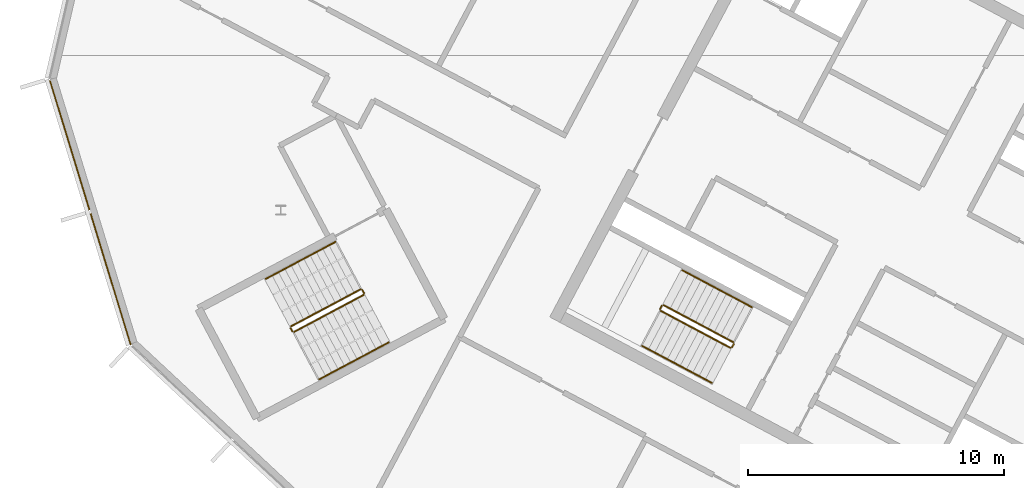
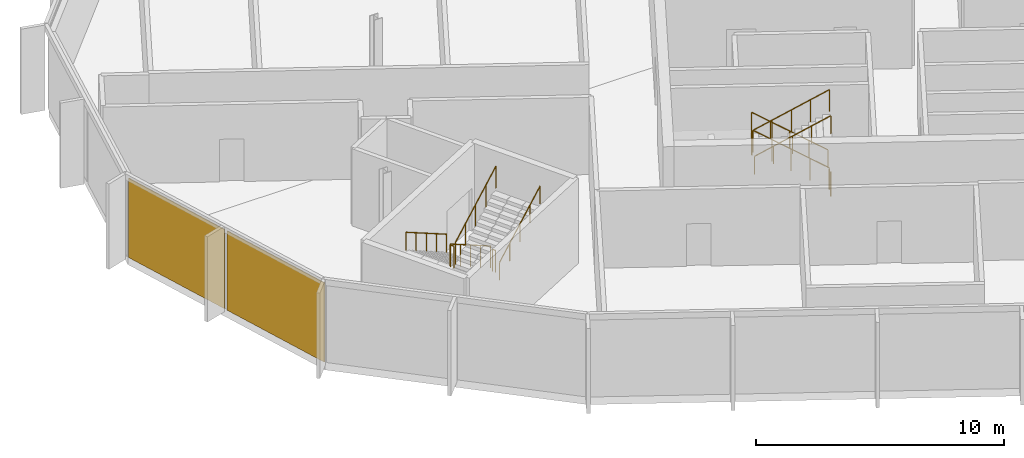
# One storey, part 10 of 12: 12 railings, 2 coverings, 1 element without a shape of its own.
"""IFC4 building model written with IfcOpenShell, lengths in metres."""

from ifc_helpers import new_model, si_unit, direction, frame, origin, origin_2d, place, context, subcontext, project, spatial, polyline, rectangle, outline, extrude, material, layer, layer_set, type_object, element, aggregate, save


model = new_model("IFC4")

# Units and contexts
model_context = context("Model", 3, precision=1e-05, world=origin(), true_north=direction((0.0, 1.0)))
body_context = subcontext(model_context, "Body", "Model", "MODEL_VIEW")
ifc_project = project(units=[si_unit("LENGTHUNIT", "METRE"), si_unit("AREAUNIT", "SQUARE_METRE"), si_unit("VOLUMEUNIT", "CUBIC_METRE"), si_unit("PLANEANGLEUNIT", "RADIAN"), si_unit("MASSUNIT", "GRAM", prefix="KILO")], contexts=[model_context])

# Site, building, storey
site_placement = place(None, origin())
site = spatial("IfcSite", under=ifc_project, at=site_placement, CompositionType="ELEMENT")
building_placement = place(site_placement, origin())
building = spatial("IfcBuilding", under=site, at=building_placement, Name="Cormorant Relay Tower", CompositionType="ELEMENT")
storey_placement = place(building_placement, frame((0.0, 0.0, 349.199951171875)))
storey = spatial("IfcBuildingStorey", under=building, at=storey_placement, Name="C6", CompositionType="ELEMENT", Elevation=349.199951171875)

# Curtain wall, coverings
ifc_material_1 = material(Name="Aluminium 6063-T6 anodised bronze", Category="aluminium")
ifc_layer_1 = layer(ifc_material_1, 0.199951171875)
ifc_layer_set_1 = layer_set([ifc_layer_1], Name="CW3 crown screen wall")
curtain_wall_type = type_object("IfcCurtainWallType", Name="CW3 crown screen wall", PredefinedType="NOTDEFINED", material=ifc_layer_set_1)
curtain_wall_placement = place(storey_placement, origin())
curtain_wall = element("IfcCurtainWall", 1, at=curtain_wall_placement, inside=storey, type_object=curtain_wall_type, Name="CW3 curtain wall 21", PredefinedType="NOTDEFINED")
ifc_material_2 = material(Name="Perforated bronze anodised aluminium screen", Category="aluminium")
ifc_layer_2 = layer(ifc_material_2, 0.0400390625)
ifc_layer_set_2 = layer_set([ifc_layer_2], Name="CW3 perforated bronze screen panel 40")
covering_type = type_object("IfcCoveringType", Name="CW3 perforated bronze screen panel 40", PredefinedType="CLADDING", material=ifc_layer_set_2)
covering_1_placement = place(storey_placement, frame((-59.9443359375, 17.78857421875, 0.0), z_axis=(0.0, 0.0, 1.0), x_axis=(0.292371704723, -0.956304755963, 0.0)))
covering_1 = element("IfcCovering", 2, at=covering_1_placement, type_object=covering_type, Name="CW3 panel X00", PredefinedType="CLADDING", context=body_context, shape_type="SweptSolid", body=[
    extrude(rectangle(XDim=5.28515625, YDim=0.0400390625, at=origin_2d()), origin(), (0.0, 0.0, 1.0), 3.89990234375),
])
covering_2_placement = place(storey_placement, frame((-58.344482421875, 12.55517578125, 0.0), z_axis=(0.0, 0.0, 1.0), x_axis=(0.292371704723, -0.956304755963, 0.0)))
covering_2 = element("IfcCovering", 3, at=covering_2_placement, type_object=covering_type, Name="CW3 panel X01", PredefinedType="CLADDING", context=body_context, shape_type="SweptSolid", body=[
    extrude(rectangle(XDim=5.360107421875, YDim=0.0400390625, at=origin_2d()), origin(), (0.0, 0.0, 1.0), 3.89990234375),
])
aggregate(curtain_wall, [covering_1, covering_2])

# Railings
ifc_material_3 = material(Name="Steel ASTM A572 Grade 50 (Fy 345 MPa)", Category="steel")
railing_type_1 = type_object("IfcRailingType", Name="Stair guard 1100", PredefinedType="GUARDRAIL", material=ifc_material_3)
railing_1_placement = place(storey_placement, frame((-33.9921875, 10.08935546875, 0.175048828125)))
element("IfcRailing", 4, at=railing_1_placement, inside=storey, type_object=railing_type_1, Name="C6 A2 stair guard 1", PredefinedType="GUARDRAIL", context=body_context, shape_type="SweptSolid", body=[
    extrude(outline(polyline([(0.022216796875, 0.00927734375), (0.00927734375, 0.022216796875), (-0.00927734375, 0.022216796875), (-0.022216796875, 0.00927734375), (-0.022216796875, -0.00927734375), (-0.00927734375, -0.022216796875), (0.00927734375, -0.022216796875), (0.022216796875, -0.00927734375), (0.022216796875, 0.00927734375)])), frame((0.0, 0.0, 1.076171875), z_axis=(-0.748727239859, 0.398124736663, 0.530003975787), x_axis=(-0.469489399267, -0.882938108802, 0.0)), (0.0, 0.0, 1.0), 3.632080078125),
    extrude(outline(polyline([(0.019287109375, 0.008056640625), (0.008056640625, 0.019287109375), (-0.008056640625, 0.019287109375), (-0.019287109375, 0.008056640625), (-0.019287109375, -0.008056640625), (-0.008056640625, -0.019287109375), (0.008056640625, -0.019287109375), (0.019287109375, -0.008056640625), (0.019287109375, 0.008056640625)])), origin(), (0.0, 0.0, 1.0), 1.052001953125),
    extrude(outline(polyline([(0.019287109375, 0.008056640625), (0.008056640625, 0.019287109375), (-0.008056640625, 0.019287109375), (-0.019287109375, 0.008056640625), (-0.019287109375, -0.008056640625), (-0.008056640625, -0.019287109375), (0.008056640625, -0.019287109375), (0.019287109375, -0.008056640625), (0.019287109375, 0.008056640625)])), frame((-0.679931640625, 0.361572265625, 0.481201171875)), (0.0, 0.0, 1.0), 1.052001953125),
    extrude(outline(polyline([(0.019287109375, 0.008056640625), (0.008056640625, 0.019287109375), (-0.008056640625, 0.019287109375), (-0.019287109375, 0.008056640625), (-0.019287109375, -0.008056640625), (-0.008056640625, -0.019287109375), (0.008056640625, -0.019287109375), (0.019287109375, -0.008056640625), (0.019287109375, 0.008056640625)])), frame((-1.35986328125, 0.72314453125, 0.96240234375)), (0.0, 0.0, 1.0), 1.052001953125),
    extrude(outline(polyline([(0.019287109375, 0.008056640625), (0.008056640625, 0.019287109375), (-0.008056640625, 0.019287109375), (-0.019287109375, 0.008056640625), (-0.019287109375, -0.008056640625), (-0.008056640625, -0.019287109375), (0.008056640625, -0.019287109375), (0.019287109375, -0.008056640625), (0.019287109375, 0.008056640625)])), frame((-2.03955078125, 1.08447265625, 1.44384765625)), (0.0, 0.0, 1.0), 1.052001953125),
    extrude(outline(polyline([(0.019287109375, 0.008056640625), (0.008056640625, 0.019287109375), (-0.008056640625, 0.019287109375), (-0.019287109375, 0.008056640625), (-0.019287109375, -0.008056640625), (-0.008056640625, -0.019287109375), (0.008056640625, -0.019287109375), (0.019287109375, -0.008056640625), (0.019287109375, 0.008056640625)])), frame((-2.719482421875, 1.446044921875, 1.925048828125)), (0.0, 0.0, 1.0), 1.052001953125),
])
railing_2_placement = place(storey_placement, frame((-36.779296875, 11.5146484375, 2.10009765625)))
element("IfcRailing", 5, at=railing_2_placement, inside=storey, type_object=railing_type_1, Name="C6 A2 stair guard 2", PredefinedType="GUARDRAIL", context=body_context, shape_type="SweptSolid", body=[
    extrude(outline(polyline([(0.022216796875, 0.00927734375), (0.00927734375, 0.022216796875), (-0.00927734375, 0.022216796875), (-0.022216796875, 0.00927734375), (-0.022216796875, -0.00927734375), (-0.00927734375, -0.022216796875), (0.00927734375, -0.022216796875), (0.022216796875, -0.00927734375), (0.022216796875, 0.00927734375)])), frame((0.0, 0.0, 1.076171875), z_axis=(-0.469234640946, -0.883073525669, 0.0), x_axis=(0.883073525669, -0.469234640946, 0.0)), (0.0, 0.0, 1.0), 0.14990234375),
    extrude(outline(polyline([(0.019287109375, 0.008056640625), (0.008056640625, 0.019287109375), (-0.008056640625, 0.019287109375), (-0.019287109375, 0.008056640625), (-0.019287109375, -0.008056640625), (-0.008056640625, -0.019287109375), (0.008056640625, -0.019287109375), (0.019287109375, -0.008056640625), (0.019287109375, 0.008056640625)])), origin(), (0.0, 0.0, 1.0), 1.052001953125),
    extrude(outline(polyline([(0.019287109375, 0.008056640625), (0.008056640625, 0.019287109375), (-0.008056640625, 0.019287109375), (-0.019287109375, 0.008056640625), (-0.019287109375, -0.008056640625), (-0.008056640625, -0.019287109375), (0.008056640625, -0.019287109375), (0.019287109375, -0.008056640625), (0.019287109375, 0.008056640625)])), frame((-0.0703125, -0.13232421875, 0.0)), (0.0, 0.0, 1.0), 1.052001953125),
])
railing_3_placement = place(storey_placement, frame((-36.8291015625, 11.314697265625, 2.275146484375)))
element("IfcRailing", 6, at=railing_3_placement, inside=storey, type_object=railing_type_1, Name="C6 A2 stair guard 3", PredefinedType="GUARDRAIL", context=body_context, shape_type="SweptSolid", body=[
    extrude(outline(polyline([(0.022216796875, 0.00927734375), (0.00927734375, 0.022216796875), (-0.00927734375, 0.022216796875), (-0.022216796875, 0.00927734375), (-0.022216796875, -0.00927734375), (-0.00927734375, -0.022216796875), (0.00927734375, -0.022216796875), (0.022216796875, -0.00927734375), (0.022216796875, 0.00927734375)])), frame((0.0, 0.0, 1.076171875), z_axis=(0.748753913104, -0.39813891977, 0.529955637931), x_axis=(0.469489399267, 0.882938108802, 0.0)), (0.0, 0.0, 1.0), 3.632080078125),
    extrude(outline(polyline([(0.019287109375, 0.008056640625), (0.008056640625, 0.019287109375), (-0.008056640625, 0.019287109375), (-0.019287109375, 0.008056640625), (-0.019287109375, -0.008056640625), (-0.008056640625, -0.019287109375), (0.008056640625, -0.019287109375), (0.019287109375, -0.008056640625), (0.019287109375, 0.008056640625)])), origin(), (0.0, 0.0, 1.0), 1.052001953125),
    extrude(outline(polyline([(0.019287109375, 0.008056640625), (0.008056640625, 0.019287109375), (-0.008056640625, 0.019287109375), (-0.019287109375, 0.008056640625), (-0.019287109375, -0.008056640625), (-0.008056640625, -0.019287109375), (0.008056640625, -0.019287109375), (0.019287109375, -0.008056640625), (0.019287109375, 0.008056640625)])), frame((0.679931640625, -0.361572265625, 0.481201171875)), (0.0, 0.0, 1.0), 1.052001953125),
    extrude(outline(polyline([(0.019287109375, 0.008056640625), (0.008056640625, 0.019287109375), (-0.008056640625, 0.019287109375), (-0.019287109375, 0.008056640625), (-0.019287109375, -0.008056640625), (-0.008056640625, -0.019287109375), (0.008056640625, -0.019287109375), (0.019287109375, -0.008056640625), (0.019287109375, 0.008056640625)])), frame((1.35986328125, -0.72314453125, 0.96240234375)), (0.0, 0.0, 1.0), 1.052001953125),
    extrude(outline(polyline([(0.019287109375, 0.008056640625), (0.008056640625, 0.019287109375), (-0.008056640625, 0.019287109375), (-0.019287109375, 0.008056640625), (-0.019287109375, -0.008056640625), (-0.008056640625, -0.019287109375), (0.008056640625, -0.019287109375), (0.019287109375, -0.008056640625), (0.019287109375, 0.008056640625)])), frame((2.03955078125, -1.08447265625, 1.443603515625)), (0.0, 0.0, 1.0), 1.052001953125),
    extrude(outline(polyline([(0.019287109375, 0.008056640625), (0.008056640625, 0.019287109375), (-0.008056640625, 0.019287109375), (-0.019287109375, 0.008056640625), (-0.019287109375, -0.008056640625), (-0.008056640625, -0.019287109375), (0.008056640625, -0.019287109375), (0.019287109375, -0.008056640625), (0.019287109375, 0.008056640625)])), frame((2.719482421875, -1.446044921875, 1.9248046875)), (0.0, 0.0, 1.0), 1.052001953125),
])
railing_4_placement = place(storey_placement, frame((-33.971435546875, 10.021728515625, 0.0)))
element("IfcRailing", 7, at=railing_4_placement, inside=storey, type_object=railing_type_1, Name="C6 A2 stair guard 4", PredefinedType="GUARDRAIL", context=body_context, shape_type="SweptSolid", body=[
    extrude(outline(polyline([(0.022216796875, 0.00927734375), (0.00927734375, 0.022216796875), (-0.00927734375, 0.022216796875), (-0.022216796875, 0.00927734375), (-0.022216796875, -0.00927734375), (-0.00927734375, -0.022216796875), (0.00927734375, -0.022216796875), (0.022216796875, -0.00927734375), (0.022216796875, 0.00927734375)])), frame((0.0, 0.0, 1.076171875), z_axis=(-0.470503732759, -0.882398003998, 0.0), x_axis=(0.882398003998, -0.470503732759, 0.0)), (0.0, 0.0, 1.0), 0.14990234375),
    extrude(outline(polyline([(0.019287109375, 0.008056640625), (0.008056640625, 0.019287109375), (-0.008056640625, 0.019287109375), (-0.019287109375, 0.008056640625), (-0.019287109375, -0.008056640625), (-0.008056640625, -0.019287109375), (0.008056640625, -0.019287109375), (0.019287109375, -0.008056640625), (0.019287109375, 0.008056640625)])), origin(), (0.0, 0.0, 1.0), 1.052001953125),
    extrude(outline(polyline([(0.019287109375, 0.008056640625), (0.008056640625, 0.019287109375), (-0.008056640625, 0.019287109375), (-0.019287109375, 0.008056640625), (-0.019287109375, -0.008056640625), (-0.008056640625, -0.019287109375), (0.008056640625, -0.019287109375), (0.019287109375, -0.008056640625), (0.019287109375, 0.008056640625)])), frame((-0.070556640625, -0.13232421875, 0.0)), (0.0, 0.0, 1.0), 1.052001953125),
])
railing_5_placement = place(storey_placement, frame((-48.5693359375, 12.155517578125, 0.175048828125)))
element("IfcRailing", 8, at=railing_5_placement, inside=storey, type_object=railing_type_1, Name="C6 RP1 stair guard 1", PredefinedType="GUARDRAIL", context=body_context, shape_type="SweptSolid", body=[
    extrude(outline(polyline([(0.022216796875, 0.00927734375), (0.00927734375, 0.022216796875), (-0.00927734375, 0.022216796875), (-0.022216796875, 0.00927734375), (-0.022216796875, -0.00927734375), (-0.00927734375, -0.022216796875), (0.00927734375, -0.022216796875), (0.022216796875, -0.00927734375), (0.022216796875, 0.00927734375)])), frame((0.0, 0.0, 1.076171875), z_axis=(-0.748727239859, -0.398124736663, 0.530003975787), x_axis=(0.469489399267, -0.882938108802, 0.0)), (0.0, 0.0, 1.0), 3.632080078125),
    extrude(outline(polyline([(0.019287109375, 0.008056640625), (0.008056640625, 0.019287109375), (-0.008056640625, 0.019287109375), (-0.019287109375, 0.008056640625), (-0.019287109375, -0.008056640625), (-0.008056640625, -0.019287109375), (0.008056640625, -0.019287109375), (0.019287109375, -0.008056640625), (0.019287109375, 0.008056640625)])), origin(), (0.0, 0.0, 1.0), 1.052001953125),
    extrude(outline(polyline([(0.019287109375, 0.008056640625), (0.008056640625, 0.019287109375), (-0.008056640625, 0.019287109375), (-0.019287109375, 0.008056640625), (-0.019287109375, -0.008056640625), (-0.008056640625, -0.019287109375), (0.008056640625, -0.019287109375), (0.019287109375, -0.008056640625), (0.019287109375, 0.008056640625)])), frame((-0.679931640625, -0.361572265625, 0.481201171875)), (0.0, 0.0, 1.0), 1.052001953125),
    extrude(outline(polyline([(0.019287109375, 0.008056640625), (0.008056640625, 0.019287109375), (-0.008056640625, 0.019287109375), (-0.019287109375, 0.008056640625), (-0.019287109375, -0.008056640625), (-0.008056640625, -0.019287109375), (0.008056640625, -0.019287109375), (0.019287109375, -0.008056640625), (0.019287109375, 0.008056640625)])), frame((-1.35986328125, -0.72314453125, 0.96240234375)), (0.0, 0.0, 1.0), 1.052001953125),
    extrude(outline(polyline([(0.019287109375, 0.008056640625), (0.008056640625, 0.019287109375), (-0.008056640625, 0.019287109375), (-0.019287109375, 0.008056640625), (-0.019287109375, -0.008056640625), (-0.008056640625, -0.019287109375), (0.008056640625, -0.019287109375), (0.019287109375, -0.008056640625), (0.019287109375, 0.008056640625)])), frame((-2.03955078125, -1.08447265625, 1.44384765625)), (0.0, 0.0, 1.0), 1.052001953125),
    extrude(outline(polyline([(0.019287109375, 0.008056640625), (0.008056640625, 0.019287109375), (-0.008056640625, 0.019287109375), (-0.019287109375, 0.008056640625), (-0.019287109375, -0.008056640625), (-0.008056640625, -0.019287109375), (0.008056640625, -0.019287109375), (0.019287109375, -0.008056640625), (0.019287109375, 0.008056640625)])), frame((-2.719482421875, -1.446044921875, 1.925048828125)), (0.0, 0.0, 1.0), 1.052001953125),
])
railing_6_placement = place(storey_placement, frame((-51.3095703125, 10.641845703125, 2.10009765625)))
element("IfcRailing", 9, at=railing_6_placement, inside=storey, type_object=railing_type_1, Name="C6 RP1 stair guard 2", PredefinedType="GUARDRAIL", context=body_context, shape_type="SweptSolid", body=[
    extrude(outline(polyline([(0.022216796875, 0.00927734375), (0.00927734375, 0.022216796875), (-0.00927734375, 0.022216796875), (-0.022216796875, 0.00927734375), (-0.022216796875, -0.00927734375), (-0.00927734375, -0.022216796875), (0.00927734375, -0.022216796875), (0.022216796875, -0.00927734375), (0.022216796875, 0.00927734375)])), frame((0.0, 0.0, 1.076171875), z_axis=(0.469828648786, -0.882757634224, 0.0), x_axis=(0.882757634224, 0.469828648786, 0.0)), (0.0, 0.0, 1.0), 0.150146484375),
    extrude(outline(polyline([(0.019287109375, 0.008056640625), (0.008056640625, 0.019287109375), (-0.008056640625, 0.019287109375), (-0.019287109375, 0.008056640625), (-0.019287109375, -0.008056640625), (-0.008056640625, -0.019287109375), (0.008056640625, -0.019287109375), (0.019287109375, -0.008056640625), (0.019287109375, 0.008056640625)])), origin(), (0.0, 0.0, 1.0), 1.052001953125),
    extrude(outline(polyline([(0.019287109375, 0.008056640625), (0.008056640625, 0.019287109375), (-0.008056640625, 0.019287109375), (-0.019287109375, 0.008056640625), (-0.019287109375, -0.008056640625), (-0.008056640625, -0.019287109375), (0.008056640625, -0.019287109375), (0.019287109375, -0.008056640625), (0.019287109375, 0.008056640625)])), frame((0.070556640625, -0.132568359375, 0.0)), (0.0, 0.0, 1.0), 1.052001953125),
])
railing_7_placement = place(storey_placement, frame((-51.17138671875, 10.48876953125, 2.275146484375)))
element("IfcRailing", 10, at=railing_7_placement, inside=storey, type_object=railing_type_1, Name="C6 RP1 stair guard 3", PredefinedType="GUARDRAIL", context=body_context, shape_type="SweptSolid", body=[
    extrude(outline(polyline([(0.022216796875, 0.00927734375), (0.00927734375, 0.022216796875), (-0.00927734375, 0.022216796875), (-0.022216796875, 0.00927734375), (-0.022216796875, -0.00927734375), (-0.00927734375, -0.022216796875), (0.00927734375, -0.022216796875), (0.022216796875, -0.00927734375), (0.022216796875, 0.00927734375)])), frame((0.0, 0.0, 1.076171875), z_axis=(0.748773950783, 0.398082353581, 0.529969820269), x_axis=(-0.469427602063, 0.882970965786, 0.0)), (0.0, 0.0, 1.0), 3.6318359375),
    extrude(outline(polyline([(0.019287109375, 0.008056640625), (0.008056640625, 0.019287109375), (-0.008056640625, 0.019287109375), (-0.019287109375, 0.008056640625), (-0.019287109375, -0.008056640625), (-0.008056640625, -0.019287109375), (0.008056640625, -0.019287109375), (0.019287109375, -0.008056640625), (0.019287109375, 0.008056640625)])), origin(), (0.0, 0.0, 1.0), 1.052001953125),
    extrude(outline(polyline([(0.019287109375, 0.008056640625), (0.008056640625, 0.019287109375), (-0.008056640625, 0.019287109375), (-0.019287109375, 0.008056640625), (-0.019287109375, -0.008056640625), (-0.008056640625, -0.019287109375), (0.008056640625, -0.019287109375), (0.019287109375, -0.008056640625), (0.019287109375, 0.008056640625)])), frame((0.679931640625, 0.361328125, 0.481201171875)), (0.0, 0.0, 1.0), 1.052001953125),
    extrude(outline(polyline([(0.019287109375, 0.008056640625), (0.008056640625, 0.019287109375), (-0.008056640625, 0.019287109375), (-0.019287109375, 0.008056640625), (-0.019287109375, -0.008056640625), (-0.008056640625, -0.019287109375), (0.008056640625, -0.019287109375), (0.019287109375, -0.008056640625), (0.019287109375, 0.008056640625)])), frame((1.35986328125, 0.722900390625, 0.96240234375)), (0.0, 0.0, 1.0), 1.052001953125),
    extrude(outline(polyline([(0.019287109375, 0.008056640625), (0.008056640625, 0.019287109375), (-0.008056640625, 0.019287109375), (-0.019287109375, 0.008056640625), (-0.019287109375, -0.008056640625), (-0.008056640625, -0.019287109375), (0.008056640625, -0.019287109375), (0.019287109375, -0.008056640625), (0.019287109375, 0.008056640625)])), frame((2.03955078125, 1.08447265625, 1.443603515625)), (0.0, 0.0, 1.0), 1.052001953125),
    extrude(outline(polyline([(0.019287109375, 0.008056640625), (0.008056640625, 0.019287109375), (-0.008056640625, 0.019287109375), (-0.019287109375, 0.008056640625), (-0.019287109375, -0.008056640625), (-0.008056640625, -0.019287109375), (0.008056640625, -0.019287109375), (0.019287109375, -0.008056640625), (0.019287109375, 0.008056640625)])), frame((2.719482421875, 1.44580078125, 1.9248046875)), (0.0, 0.0, 1.0), 1.052001953125),
])
railing_8_placement = place(storey_placement, frame((-48.501708984375, 12.134765625, 0.0)))
element("IfcRailing", 11, at=railing_8_placement, inside=storey, type_object=railing_type_1, Name="C6 RP1 stair guard 4", PredefinedType="GUARDRAIL", context=body_context, shape_type="SweptSolid", body=[
    extrude(outline(polyline([(0.022216796875, 0.00927734375), (0.00927734375, 0.022216796875), (-0.00927734375, 0.022216796875), (-0.022216796875, 0.00927734375), (-0.022216796875, -0.00927734375), (-0.00927734375, -0.022216796875), (0.00927734375, -0.022216796875), (0.022216796875, -0.00927734375), (0.022216796875, 0.00927734375)])), frame((0.0, 0.0, 1.076171875), z_axis=(0.46856034887, -0.8834314911, 0.0), x_axis=(0.8834314911, 0.46856034887, 0.0)), (0.0, 0.0, 1.0), 0.150146484375),
    extrude(outline(polyline([(0.019287109375, 0.008056640625), (0.008056640625, 0.019287109375), (-0.008056640625, 0.019287109375), (-0.019287109375, 0.008056640625), (-0.019287109375, -0.008056640625), (-0.008056640625, -0.019287109375), (0.008056640625, -0.019287109375), (0.019287109375, -0.008056640625), (0.019287109375, 0.008056640625)])), origin(), (0.0, 0.0, 1.0), 1.052001953125),
    extrude(outline(polyline([(0.019287109375, 0.008056640625), (0.008056640625, 0.019287109375), (-0.008056640625, 0.019287109375), (-0.019287109375, 0.008056640625), (-0.019287109375, -0.008056640625), (-0.008056640625, -0.019287109375), (0.008056640625, -0.019287109375), (0.019287109375, -0.008056640625), (0.019287109375, 0.008056640625)])), frame((0.0703125, -0.132568359375, 0.0)), (0.0, 0.0, 1.0), 1.052001953125),
])
ifc_material_4 = material(Name="Steel ASTM A572 Grade 50 (Fy 345 MPa)", Category="steel")
railing_type_2 = type_object("IfcRailingType", Name="Stair handrail 900", PredefinedType="HANDRAIL", material=ifc_material_4)
railing_9_placement = place(storey_placement, frame((-33.264404296875, 11.4580078125, 0.175048828125)))
element("IfcRailing", 12, at=railing_9_placement, inside=storey, type_object=railing_type_2, Name="C6 A2 stair handrail 1", PredefinedType="HANDRAIL", context=body_context, shape_type="SweptSolid", body=[
    extrude(outline(polyline([(0.022216796875, 0.00927734375), (0.00927734375, 0.022216796875), (-0.00927734375, 0.022216796875), (-0.022216796875, 0.00927734375), (-0.022216796875, -0.00927734375), (-0.00927734375, -0.022216796875), (0.00927734375, -0.022216796875), (0.022216796875, -0.00927734375), (0.022216796875, 0.00927734375)])), frame((0.0, 0.0, 0.8759765625), z_axis=(-0.748747275397, 0.39806817173, 0.530018158408), x_axis=(-0.469427602063, -0.882970965786, 0.0)), (0.0, 0.0, 1.0), 3.632080078125),
    extrude(outline(polyline([(0.019287109375, 0.008056640625), (0.008056640625, 0.019287109375), (-0.008056640625, 0.019287109375), (-0.019287109375, 0.008056640625), (-0.019287109375, -0.008056640625), (-0.008056640625, -0.019287109375), (0.008056640625, -0.019287109375), (0.019287109375, -0.008056640625), (0.019287109375, 0.008056640625)])), origin(), (0.0, 0.0, 1.0), 0.851806640625),
    extrude(outline(polyline([(0.019287109375, 0.008056640625), (0.008056640625, 0.019287109375), (-0.008056640625, 0.019287109375), (-0.019287109375, 0.008056640625), (-0.019287109375, -0.008056640625), (-0.008056640625, -0.019287109375), (0.008056640625, -0.019287109375), (0.019287109375, -0.008056640625), (0.019287109375, 0.008056640625)])), frame((-0.679931640625, 0.361328125, 0.481201171875)), (0.0, 0.0, 1.0), 0.851806640625),
    extrude(outline(polyline([(0.019287109375, 0.008056640625), (0.008056640625, 0.019287109375), (-0.008056640625, 0.019287109375), (-0.019287109375, 0.008056640625), (-0.019287109375, -0.008056640625), (-0.008056640625, -0.019287109375), (0.008056640625, -0.019287109375), (0.019287109375, -0.008056640625), (0.019287109375, 0.008056640625)])), frame((-1.35986328125, 0.722900390625, 0.96240234375)), (0.0, 0.0, 1.0), 0.851806640625),
    extrude(outline(polyline([(0.019287109375, 0.008056640625), (0.008056640625, 0.019287109375), (-0.008056640625, 0.019287109375), (-0.019287109375, 0.008056640625), (-0.019287109375, -0.008056640625), (-0.008056640625, -0.019287109375), (0.008056640625, -0.019287109375), (0.019287109375, -0.008056640625), (0.019287109375, 0.008056640625)])), frame((-2.03955078125, 1.08447265625, 1.44384765625)), (0.0, 0.0, 1.0), 0.851806640625),
    extrude(outline(polyline([(0.019287109375, 0.008056640625), (0.008056640625, 0.019287109375), (-0.008056640625, 0.019287109375), (-0.019287109375, 0.008056640625), (-0.019287109375, -0.008056640625), (-0.008056640625, -0.019287109375), (0.008056640625, -0.019287109375), (0.019287109375, -0.008056640625), (0.019287109375, 0.008056640625)])), frame((-2.719482421875, 1.44580078125, 1.925048828125)), (0.0, 0.0, 1.0), 0.851806640625),
])
railing_10_placement = place(storey_placement, frame((-37.556640625, 9.946044921875, 2.275146484375)))
element("IfcRailing", 13, at=railing_10_placement, inside=storey, type_object=railing_type_2, Name="C6 A2 stair handrail 2", PredefinedType="HANDRAIL", context=body_context, shape_type="SweptSolid", body=[
    extrude(outline(polyline([(0.022216796875, 0.00927734375), (0.00927734375, 0.022216796875), (-0.00927734375, 0.022216796875), (-0.022216796875, 0.00927734375), (-0.022216796875, -0.00927734375), (-0.00927734375, -0.022216796875), (0.00927734375, -0.022216796875), (0.022216796875, -0.00927734375), (0.022216796875, 0.00927734375)])), frame((0.0, 0.0, 0.8759765625), z_axis=(0.748753913104, -0.39813891977, 0.529955637931), x_axis=(0.469489399267, 0.882938108802, 0.0)), (0.0, 0.0, 1.0), 3.632080078125),
    extrude(outline(polyline([(0.019287109375, 0.008056640625), (0.008056640625, 0.019287109375), (-0.008056640625, 0.019287109375), (-0.019287109375, 0.008056640625), (-0.019287109375, -0.008056640625), (-0.008056640625, -0.019287109375), (0.008056640625, -0.019287109375), (0.019287109375, -0.008056640625), (0.019287109375, 0.008056640625)])), origin(), (0.0, 0.0, 1.0), 0.851806640625),
    extrude(outline(polyline([(0.019287109375, 0.008056640625), (0.008056640625, 0.019287109375), (-0.008056640625, 0.019287109375), (-0.019287109375, 0.008056640625), (-0.019287109375, -0.008056640625), (-0.008056640625, -0.019287109375), (0.008056640625, -0.019287109375), (0.019287109375, -0.008056640625), (0.019287109375, 0.008056640625)])), frame((0.679931640625, -0.361572265625, 0.481201171875)), (0.0, 0.0, 1.0), 0.851806640625),
    extrude(outline(polyline([(0.019287109375, 0.008056640625), (0.008056640625, 0.019287109375), (-0.008056640625, 0.019287109375), (-0.019287109375, 0.008056640625), (-0.019287109375, -0.008056640625), (-0.008056640625, -0.019287109375), (0.008056640625, -0.019287109375), (0.019287109375, -0.008056640625), (0.019287109375, 0.008056640625)])), frame((1.35986328125, -0.72314453125, 0.96240234375)), (0.0, 0.0, 1.0), 0.851806640625),
    extrude(outline(polyline([(0.019287109375, 0.008056640625), (0.008056640625, 0.019287109375), (-0.008056640625, 0.019287109375), (-0.019287109375, 0.008056640625), (-0.019287109375, -0.008056640625), (-0.008056640625, -0.019287109375), (0.008056640625, -0.019287109375), (0.019287109375, -0.008056640625), (0.019287109375, 0.008056640625)])), frame((2.03955078125, -1.08447265625, 1.443603515625)), (0.0, 0.0, 1.0), 0.851806640625),
    extrude(outline(polyline([(0.019287109375, 0.008056640625), (0.008056640625, 0.019287109375), (-0.008056640625, 0.019287109375), (-0.019287109375, 0.008056640625), (-0.019287109375, -0.008056640625), (-0.008056640625, -0.019287109375), (0.008056640625, -0.019287109375), (0.019287109375, -0.008056640625), (0.019287109375, 0.008056640625)])), frame((2.719482421875, -1.446044921875, 1.9248046875)), (0.0, 0.0, 1.0), 0.851806640625),
])
railing_11_placement = place(storey_placement, frame((-49.55517578125, 14.009521484375, 0.175048828125)))
element("IfcRailing", 14, at=railing_11_placement, inside=storey, type_object=railing_type_2, Name="C6 RP1 stair handrail 1", PredefinedType="HANDRAIL", context=body_context, shape_type="SweptSolid", body=[
    extrude(outline(polyline([(0.022216796875, 0.00927734375), (0.00927734375, 0.022216796875), (-0.00927734375, 0.022216796875), (-0.022216796875, 0.00927734375), (-0.022216796875, -0.00927734375), (-0.00927734375, -0.022216796875), (0.00927734375, -0.022216796875), (0.022216796875, -0.00927734375), (0.022216796875, 0.00927734375)])), frame((0.0, 0.0, 0.8759765625), z_axis=(-0.748747275397, -0.39806817173, 0.530018158408), x_axis=(0.469427602063, -0.882970965786, 0.0)), (0.0, 0.0, 1.0), 3.632080078125),
    extrude(outline(polyline([(0.019287109375, 0.008056640625), (0.008056640625, 0.019287109375), (-0.008056640625, 0.019287109375), (-0.019287109375, 0.008056640625), (-0.019287109375, -0.008056640625), (-0.008056640625, -0.019287109375), (0.008056640625, -0.019287109375), (0.019287109375, -0.008056640625), (0.019287109375, 0.008056640625)])), origin(), (0.0, 0.0, 1.0), 0.851806640625),
    extrude(outline(polyline([(0.019287109375, 0.008056640625), (0.008056640625, 0.019287109375), (-0.008056640625, 0.019287109375), (-0.019287109375, 0.008056640625), (-0.019287109375, -0.008056640625), (-0.008056640625, -0.019287109375), (0.008056640625, -0.019287109375), (0.019287109375, -0.008056640625), (0.019287109375, 0.008056640625)])), frame((-0.679931640625, -0.361328125, 0.481201171875)), (0.0, 0.0, 1.0), 0.851806640625),
    extrude(outline(polyline([(0.019287109375, 0.008056640625), (0.008056640625, 0.019287109375), (-0.008056640625, 0.019287109375), (-0.019287109375, 0.008056640625), (-0.019287109375, -0.008056640625), (-0.008056640625, -0.019287109375), (0.008056640625, -0.019287109375), (0.019287109375, -0.008056640625), (0.019287109375, 0.008056640625)])), frame((-1.35986328125, -0.722900390625, 0.96240234375)), (0.0, 0.0, 1.0), 0.851806640625),
    extrude(outline(polyline([(0.019287109375, 0.008056640625), (0.008056640625, 0.019287109375), (-0.008056640625, 0.019287109375), (-0.019287109375, 0.008056640625), (-0.019287109375, -0.008056640625), (-0.008056640625, -0.019287109375), (0.008056640625, -0.019287109375), (0.019287109375, -0.008056640625), (0.019287109375, 0.008056640625)])), frame((-2.03955078125, -1.08447265625, 1.44384765625)), (0.0, 0.0, 1.0), 0.851806640625),
    extrude(outline(polyline([(0.019287109375, 0.008056640625), (0.008056640625, 0.019287109375), (-0.008056640625, 0.019287109375), (-0.019287109375, 0.008056640625), (-0.019287109375, -0.008056640625), (-0.008056640625, -0.019287109375), (0.008056640625, -0.019287109375), (0.019287109375, -0.008056640625), (0.019287109375, 0.008056640625)])), frame((-2.719482421875, -1.44580078125, 1.925048828125)), (0.0, 0.0, 1.0), 0.851806640625),
])
railing_12_placement = place(storey_placement, frame((-50.185546875, 8.634521484375, 2.275146484375)))
element("IfcRailing", 15, at=railing_12_placement, inside=storey, type_object=railing_type_2, Name="C6 RP1 stair handrail 2", PredefinedType="HANDRAIL", context=body_context, shape_type="SweptSolid", body=[
    extrude(outline(polyline([(0.022216796875, 0.00927734375), (0.00927734375, 0.022216796875), (-0.00927734375, 0.022216796875), (-0.022216796875, 0.00927734375), (-0.022216796875, -0.00927734375), (-0.00927734375, -0.022216796875), (0.00927734375, -0.022216796875), (0.022216796875, -0.00927734375), (0.022216796875, 0.00927734375)])), frame((0.0, 0.0, 0.8759765625), z_axis=(0.748753913104, 0.39813891977, 0.529955637931), x_axis=(-0.469489399267, 0.882938108802, 0.0)), (0.0, 0.0, 1.0), 3.632080078125),
    extrude(outline(polyline([(0.019287109375, 0.008056640625), (0.008056640625, 0.019287109375), (-0.008056640625, 0.019287109375), (-0.019287109375, 0.008056640625), (-0.019287109375, -0.008056640625), (-0.008056640625, -0.019287109375), (0.008056640625, -0.019287109375), (0.019287109375, -0.008056640625), (0.019287109375, 0.008056640625)])), origin(), (0.0, 0.0, 1.0), 0.851806640625),
    extrude(outline(polyline([(0.019287109375, 0.008056640625), (0.008056640625, 0.019287109375), (-0.008056640625, 0.019287109375), (-0.019287109375, 0.008056640625), (-0.019287109375, -0.008056640625), (-0.008056640625, -0.019287109375), (0.008056640625, -0.019287109375), (0.019287109375, -0.008056640625), (0.019287109375, 0.008056640625)])), frame((0.679931640625, 0.361572265625, 0.481201171875)), (0.0, 0.0, 1.0), 0.851806640625),
    extrude(outline(polyline([(0.019287109375, 0.008056640625), (0.008056640625, 0.019287109375), (-0.008056640625, 0.019287109375), (-0.019287109375, 0.008056640625), (-0.019287109375, -0.008056640625), (-0.008056640625, -0.019287109375), (0.008056640625, -0.019287109375), (0.019287109375, -0.008056640625), (0.019287109375, 0.008056640625)])), frame((1.35986328125, 0.72314453125, 0.96240234375)), (0.0, 0.0, 1.0), 0.851806640625),
    extrude(outline(polyline([(0.019287109375, 0.008056640625), (0.008056640625, 0.019287109375), (-0.008056640625, 0.019287109375), (-0.019287109375, 0.008056640625), (-0.019287109375, -0.008056640625), (-0.008056640625, -0.019287109375), (0.008056640625, -0.019287109375), (0.019287109375, -0.008056640625), (0.019287109375, 0.008056640625)])), frame((2.03955078125, 1.08447265625, 1.443603515625)), (0.0, 0.0, 1.0), 0.851806640625),
    extrude(outline(polyline([(0.019287109375, 0.008056640625), (0.008056640625, 0.019287109375), (-0.008056640625, 0.019287109375), (-0.019287109375, 0.008056640625), (-0.019287109375, -0.008056640625), (-0.008056640625, -0.019287109375), (0.008056640625, -0.019287109375), (0.019287109375, -0.008056640625), (0.019287109375, 0.008056640625)])), frame((2.719482421875, 1.446044921875, 1.9248046875)), (0.0, 0.0, 1.0), 0.851806640625),
])

save(model, "model.ifc")
